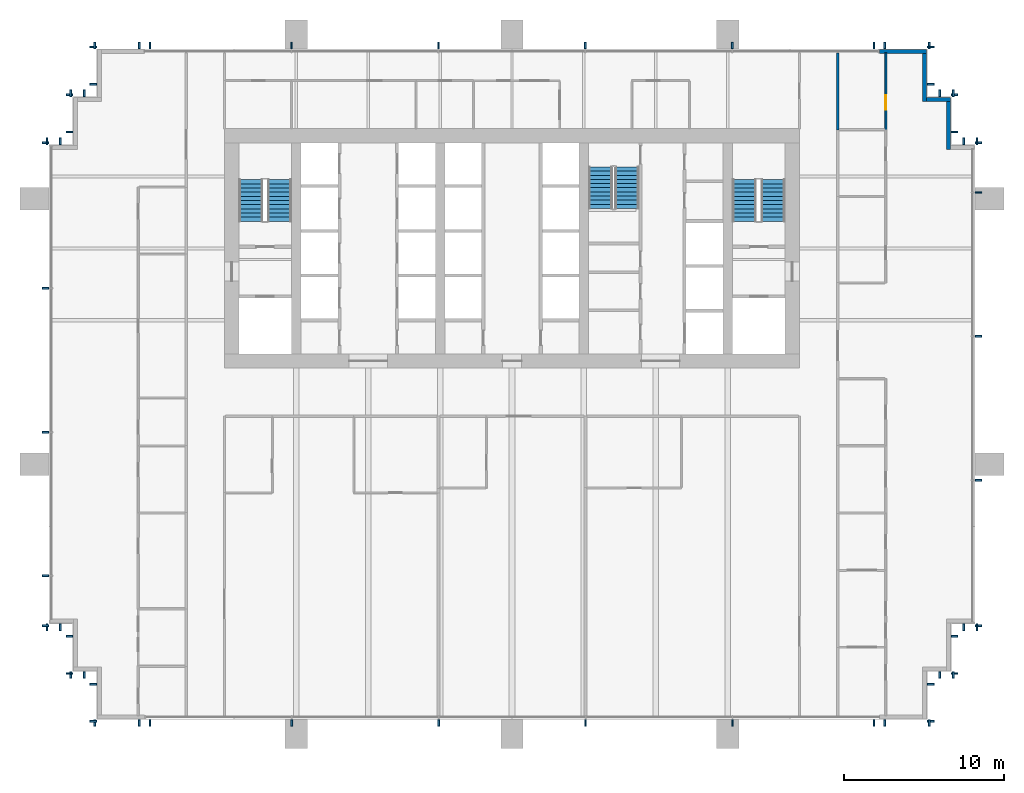
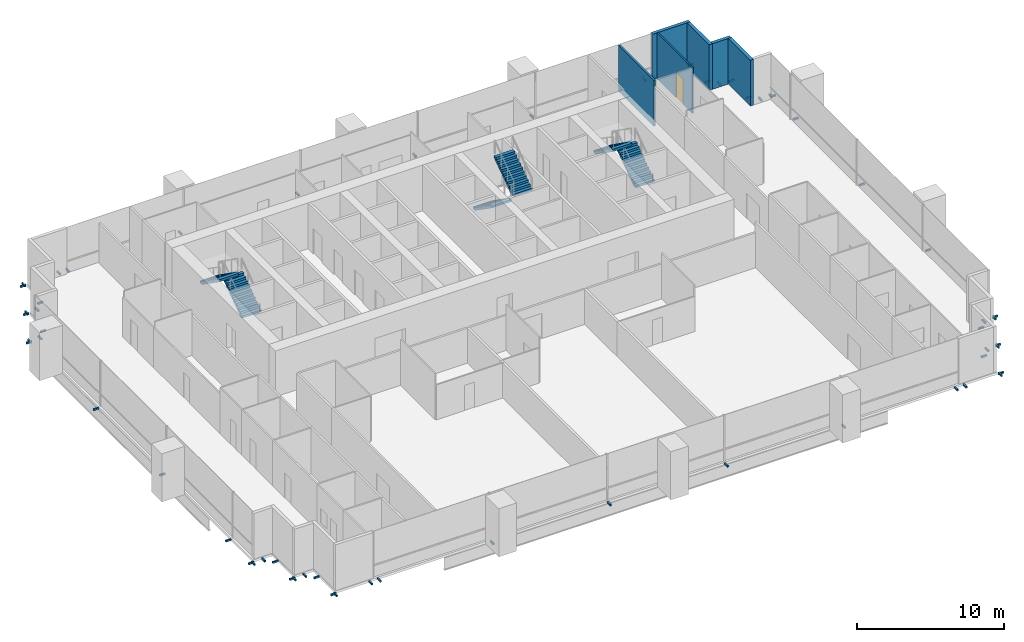
# One storey, part 14 of 15: 62 discrete accessories, 6 stair flights, 6 walls, 1 door, 1 opening, 3 elements without a shape of their own.
"""IFC4 building model written with IfcOpenShell, lengths in metres."""

from ifc_helpers import new_model, si_unit, direction, frame, frame_2d, origin, origin_2d, place, context, subcontext, project, spatial, polyline, rectangle, outline, extrude, material, layer, layer_set, type_object, element, fill, aggregate, save


model = new_model("IFC4")

# Units and contexts
model_context = context("Model", 3, precision=1e-05, world=origin(), true_north=direction((0.0, 1.0)))
body_context = subcontext(model_context, "Body", "Model", "MODEL_VIEW")
ifc_project = project(units=[si_unit("LENGTHUNIT", "METRE"), si_unit("AREAUNIT", "SQUARE_METRE"), si_unit("VOLUMEUNIT", "CUBIC_METRE"), si_unit("PLANEANGLEUNIT", "RADIAN"), si_unit("MASSUNIT", "GRAM", prefix="KILO")], contexts=[model_context])

# Site, building, storey
site_placement = place(None, origin())
site = spatial("IfcSite", under=ifc_project, at=site_placement, CompositionType="ELEMENT")
building_placement = place(site_placement, origin())
building = spatial("IfcBuilding", under=site, at=building_placement, Name="Rattan Terrace Tower", CompositionType="ELEMENT")
storey_placement = place(building_placement, frame((0.0, 0.0, 142.10009765625)))
storey = spatial("IfcBuildingStorey", under=building, at=storey_placement, Name="L32", CompositionType="ELEMENT", Elevation=142.10009765625)

# Walls
ifc_material_1 = material(Name="Insulated aluminium-clad stud wall", Category="aluminium")
ifc_layer_1 = layer(ifc_material_1, 0.25)
ifc_layer_set_1 = layer_set([ifc_layer_1], Name="Facade Riser Wall 250")
wall_type_1 = type_object("IfcWallType", Name="Facade Riser Wall 250", PredefinedType="SOLIDWALL", material=ifc_layer_set_1)
wall_1_placement = place(storey_placement, frame((27.330078125, 6.205078125, 0.0), z_axis=(0.0, 0.0, 1.0), x_axis=(0.0, 1.0, 0.0)))
element("IfcWall", 1, at=wall_1_placement, inside=storey, type_object=wall_type_1, Name="Riser wall L32-7", PredefinedType="SOLIDWALL", context=body_context, shape_type="SweptSolid", body=[
    extrude(rectangle(XDim=3.0, YDim=0.25, at=frame_2d((1.5, 0.0))), origin(), (0.0, 0.0, 1.0), 3.7998046875),
])
wall_2_placement = place(storey_placement, frame((27.455078125, 9.330078125, 0.0), z_axis=(0.0, 0.0, 1.0), x_axis=(-1.0, 0.0, 0.0)))
element("IfcWall", 2, at=wall_2_placement, inside=storey, type_object=wall_type_1, Name="Riser wall L32-8", PredefinedType="SOLIDWALL", context=body_context, shape_type="SweptSolid", body=[
    extrude(rectangle(XDim=1.5, YDim=0.25, at=frame_2d((0.75, 0.0))), origin(), (0.0, 0.0, 1.0), 3.7998046875),
])
wall_3_placement = place(storey_placement, frame((25.830078125, 9.205078125, 0.0), z_axis=(0.0, 0.0, 1.0), x_axis=(0.0, 1.0, 0.0)))
element("IfcWall", 3, at=wall_3_placement, inside=storey, type_object=wall_type_1, Name="Riser wall L32-9", PredefinedType="SOLIDWALL", context=body_context, shape_type="SweptSolid", body=[
    extrude(rectangle(XDim=3.0, YDim=0.25, at=frame_2d((1.5, 0.0))), origin(), (0.0, 0.0, 1.0), 3.7998046875),
])
wall_4_placement = place(storey_placement, frame((25.955078125, 12.330078125, 0.0), z_axis=(0.0, 0.0, 1.0), x_axis=(-1.0, 0.0, 0.0)))
element("IfcWall", 4, at=wall_4_placement, inside=storey, type_object=wall_type_1, Name="Riser wall L32-10", PredefinedType="SOLIDWALL", context=body_context, shape_type="SweptSolid", body=[
    extrude(rectangle(XDim=2.955078125, YDim=0.25, at=frame_2d((1.4775390625, 0.0))), origin(), (0.0, 0.0, 1.0), 3.7998046875),
])
ifc_material_2 = material(Name="Gypsum board partition on steel studs, fire rated", Category="steel")
ifc_layer_2 = layer(ifc_material_2, 0.14990234375)
ifc_layer_set_2 = layer_set([ifc_layer_2], Name="Floors Tenancy Wall 150")
wall_type_2 = type_object("IfcWallType", Name="Floors Tenancy Wall 150", PredefinedType="PARTITIONING", material=ifc_layer_set_2)
wall_5_placement = place(storey_placement, frame((20.39990234375, 12.239990234375, 0.0), z_axis=(0.0, 0.0, 1.0), x_axis=(0.0, -1.0, 0.0)))
element("IfcWall", 5, at=wall_5_placement, inside=storey, type_object=wall_type_2, Name="pt-L32-017", PredefinedType="PARTITIONING", context=body_context, shape_type="SweptSolid", body=[
    extrude(rectangle(XDim=4.820068359375, YDim=0.14990234375, at=frame_2d((2.41015625, 0.0))), origin(), (0.0, 0.0, 1.0), 3.7998046875),
])

# Wall, opening, door
ifc_material_3 = material(Name="Moisture resistant gypsum board partition on steel studs with service cavity", Category="steel")
ifc_layer_3 = layer(ifc_material_3, 0.1201171875)
ifc_layer_set_3 = layer_set([ifc_layer_3], Name="Floors Wet Wall 120")
wall_type_3 = type_object("IfcWallType", Name="Floors Wet Wall 120", PredefinedType="PARTITIONING", material=ifc_layer_set_3)
wall_6_placement = place(storey_placement, frame((23.39990234375, 7.419921875, 0.0), z_axis=(0.0, 0.0, 1.0), x_axis=(0.0, 1.0, 0.0)))
wall_6 = element("IfcWall", 6, at=wall_6_placement, inside=storey, type_object=wall_type_3, Name="pt-L32-054", PredefinedType="PARTITIONING", context=body_context, shape_type="SweptSolid", body=[
    extrude(rectangle(XDim=4.820068359375, YDim=0.1201171875, at=frame_2d((2.41015625, 0.0))), origin(), (0.0, 0.0, 1.0), 3.7998046875),
])
opening_placement = place(wall_6_placement, frame((1.27587890625, 0.0, 0.0)))
opening = element("IfcOpeningElement", 7, at=opening_placement, cuts=wall_6, Name="Opening L32-D116", PredefinedType="OPENING", context=body_context, shape_type="SweptSolid", body=[
    extrude(rectangle(XDim=0.89990234375, YDim=2.10009765625, at=frame_2d((0.449951171875, 1.050048828125))), frame((0.0, 0.070556640625, 0.0), z_axis=(0.0, -1.0, 0.0), x_axis=(1.0, 0.0, 0.0)), (0.0, 0.0, 1.0), 0.14111328125),
])
ifc_material_4 = material(Name="Solid core timber door, painted", Category="wood")
door_type = type_object("IfcDoorType", Name="Floors Door 900x2100", OperationType="NOTDEFINED", PredefinedType="DOOR", material=ifc_material_4)
door_placement = place(opening_placement, origin())
door = element("IfcDoor", 8, at=door_placement, inside=storey, type_object=door_type, Name="d-L32-116", OperationType="SINGLE_SWING_LEFT", OverallHeight=2.10009765625, OverallWidth=0.89990234375, PredefinedType="DOOR", context=body_context, shape_type="SweptSolid", body=[
    extrude(rectangle(XDim=0.89990234375, YDim=2.10009765625, at=frame_2d((0.449951171875, 1.050048828125))), frame((0.0, 0.02490234375, 0.0), z_axis=(0.0, -1.0, 0.0), x_axis=(1.0, 0.0, 0.0)), (0.0, 0.0, 1.0), 0.050048828125),
])
fill(opening, door)

# Stair, stair flights
ifc_material_5 = material(Name="Concrete C40/50", Category="concrete")
stair_type = type_object("IfcStairType", Name="Core exit stair 1500", PredefinedType="HALF_TURN_STAIR", material=ifc_material_5)
stair_1_placement = place(storey_placement, origin())
stair_1 = element("IfcStair", 9, at=stair_1_placement, inside=storey, type_object=stair_type, Name="L32 exit stair 1", PredefinedType="HALF_TURN_STAIR")
ifc_material_6 = material(Name="Concrete C40/50", Category="concrete")
stair_flight_type = type_object("IfcStairFlightType", Name="Core exit stair flight 1500", PredefinedType="STRAIGHT", material=ifc_material_6)
stair_flight_1_placement = place(storey_placement, frame((-14.550048828125, 1.699951171875, 0.0), z_axis=(0.0, 0.0, 1.0), x_axis=(0.0, 1.0, 0.0)))
stair_flight_1 = element("IfcStairFlight", 10, at=stair_flight_1_placement, type_object=stair_flight_type, Name="S1 flight 1", NumberOfRisers=11, NumberOfTreads=10, PredefinedType="STRAIGHT", RiserHeight=0.181818182, TreadLength=0.26, context=body_context, shape_type="SweptSolid", body=[
    extrude(outline(polyline([(0.0, 0.0), (0.0, 0.181884765625), (0.260009765625, 0.181884765625), (0.260009765625, 0.363525390625), (0.52001953125, 0.363525390625), (0.52001953125, 0.54541015625), (0.780029296875, 0.54541015625), (0.780029296875, 0.727294921875), (1.0400390625, 0.727294921875), (1.0400390625, 0.9091796875), (1.300048828125, 0.9091796875), (1.300048828125, 1.0908203125), (1.56005859375, 1.0908203125), (1.56005859375, 1.272705078125), (1.820068359375, 1.272705078125), (1.820068359375, 1.45458984375), (2.080078125, 1.45458984375), (2.080078125, 1.636474609375), (2.340087890625, 1.636474609375), (2.340087890625, 1.818115234375), (2.60009765625, 1.818115234375), (2.60009765625, 2.0), (2.60009765625, 1.63525390625), (0.261474609375, 0.0), (0.0, 0.0)])), frame((0.0, 0.75, 0.0), z_axis=(0.0, -1.0, 0.0), x_axis=(1.0, 0.0, 0.0)), (0.0, 0.0, 1.0), 1.5),
])
stair_flight_2_placement = place(storey_placement, frame((-16.35009765625, 4.300048828125, 2.0), z_axis=(0.0, 0.0, 1.0), x_axis=(0.0, -1.0, 0.0)))
stair_flight_2 = element("IfcStairFlight", 11, at=stair_flight_2_placement, type_object=stair_flight_type, Name="S1 flight 2", NumberOfRisers=11, NumberOfTreads=10, PredefinedType="STRAIGHT", RiserHeight=0.181818182, TreadLength=0.26, context=body_context, shape_type="SweptSolid", body=[
    extrude(outline(polyline([(0.0, 0.0), (0.0, 0.181884765625), (0.260009765625, 0.181884765625), (0.260009765625, 0.363525390625), (0.52001953125, 0.363525390625), (0.52001953125, 0.54541015625), (0.780029296875, 0.54541015625), (0.780029296875, 0.727294921875), (1.0400390625, 0.727294921875), (1.0400390625, 0.9091796875), (1.300048828125, 0.9091796875), (1.300048828125, 1.0908203125), (1.56005859375, 1.0908203125), (1.56005859375, 1.272705078125), (1.820068359375, 1.272705078125), (1.820068359375, 1.45458984375), (2.080078125, 1.45458984375), (2.080078125, 1.636474609375), (2.340087890625, 1.636474609375), (2.340087890625, 1.818115234375), (2.60009765625, 1.818115234375), (2.60009765625, 2.0), (2.60009765625, 1.63525390625), (0.261474609375, 0.0), (0.0, 0.0)])), frame((0.0, 0.75, 0.0), z_axis=(0.0, -1.0, 0.0), x_axis=(1.0, 0.0, 0.0)), (0.0, 0.0, 1.0), 1.5),
])
aggregate(stair_1, [stair_flight_1, stair_flight_2])

stair_2_placement = place(storey_placement, origin())
stair_2 = element("IfcStair", 12, at=stair_2_placement, inside=storey, type_object=stair_type, Name="L32 exit stair 2", PredefinedType="HALF_TURN_STAIR")
stair_flight_3_placement = place(storey_placement, frame((16.35009765625, 1.699951171875, 0.0), z_axis=(0.0, 0.0, 1.0), x_axis=(0.0, 1.0, 0.0)))
stair_flight_3 = element("IfcStairFlight", 13, at=stair_flight_3_placement, type_object=stair_flight_type, Name="S2 flight 1", NumberOfRisers=11, NumberOfTreads=10, PredefinedType="STRAIGHT", RiserHeight=0.181818182, TreadLength=0.26, context=body_context, shape_type="SweptSolid", body=[
    extrude(outline(polyline([(0.0, 0.0), (0.0, 0.181884765625), (0.260009765625, 0.181884765625), (0.260009765625, 0.363525390625), (0.52001953125, 0.363525390625), (0.52001953125, 0.54541015625), (0.780029296875, 0.54541015625), (0.780029296875, 0.727294921875), (1.0400390625, 0.727294921875), (1.0400390625, 0.9091796875), (1.300048828125, 0.9091796875), (1.300048828125, 1.0908203125), (1.56005859375, 1.0908203125), (1.56005859375, 1.272705078125), (1.820068359375, 1.272705078125), (1.820068359375, 1.45458984375), (2.080078125, 1.45458984375), (2.080078125, 1.636474609375), (2.340087890625, 1.636474609375), (2.340087890625, 1.818115234375), (2.60009765625, 1.818115234375), (2.60009765625, 2.0), (2.60009765625, 1.63525390625), (0.261474609375, 0.0), (0.0, 0.0)])), frame((0.0, 0.75, 0.0), z_axis=(0.0, -1.0, 0.0), x_axis=(1.0, 0.0, 0.0)), (0.0, 0.0, 1.0), 1.5),
])
stair_flight_4_placement = place(storey_placement, frame((14.550048828125, 4.300048828125, 2.0), z_axis=(0.0, 0.0, 1.0), x_axis=(0.0, -1.0, 0.0)))
stair_flight_4 = element("IfcStairFlight", 14, at=stair_flight_4_placement, type_object=stair_flight_type, Name="S2 flight 2", NumberOfRisers=11, NumberOfTreads=10, PredefinedType="STRAIGHT", RiserHeight=0.181818182, TreadLength=0.26, context=body_context, shape_type="SweptSolid", body=[
    extrude(outline(polyline([(0.0, 0.0), (0.0, 0.181884765625), (0.260009765625, 0.181884765625), (0.260009765625, 0.363525390625), (0.52001953125, 0.363525390625), (0.52001953125, 0.54541015625), (0.780029296875, 0.54541015625), (0.780029296875, 0.727294921875), (1.0400390625, 0.727294921875), (1.0400390625, 0.9091796875), (1.300048828125, 0.9091796875), (1.300048828125, 1.0908203125), (1.56005859375, 1.0908203125), (1.56005859375, 1.272705078125), (1.820068359375, 1.272705078125), (1.820068359375, 1.45458984375), (2.080078125, 1.45458984375), (2.080078125, 1.636474609375), (2.340087890625, 1.636474609375), (2.340087890625, 1.818115234375), (2.60009765625, 1.818115234375), (2.60009765625, 2.0), (2.60009765625, 1.63525390625), (0.261474609375, 0.0), (0.0, 0.0)])), frame((0.0, 0.75, 0.0), z_axis=(0.0, -1.0, 0.0), x_axis=(1.0, 0.0, 0.0)), (0.0, 0.0, 1.0), 1.5),
])
aggregate(stair_2, [stair_flight_3, stair_flight_4])

stair_3_placement = place(storey_placement, origin())
stair_3 = element("IfcStair", 15, at=stair_3_placement, inside=storey, type_object=stair_type, Name="L32 exit stair 3", PredefinedType="HALF_TURN_STAIR")
stair_flight_5_placement = place(storey_placement, frame((5.550048828125, 5.10009765625, 0.0), z_axis=(0.0, 0.0, 1.0), x_axis=(0.0, -1.0, 0.0)))
stair_flight_5 = element("IfcStairFlight", 16, at=stair_flight_5_placement, type_object=stair_flight_type, Name="S3 flight 1", NumberOfRisers=11, NumberOfTreads=10, PredefinedType="STRAIGHT", RiserHeight=0.181818182, TreadLength=0.26, context=body_context, shape_type="SweptSolid", body=[
    extrude(outline(polyline([(0.0, 0.0), (0.0, 0.181884765625), (0.260009765625, 0.181884765625), (0.260009765625, 0.363525390625), (0.52001953125, 0.363525390625), (0.52001953125, 0.54541015625), (0.780029296875, 0.54541015625), (0.780029296875, 0.727294921875), (1.0400390625, 0.727294921875), (1.0400390625, 0.9091796875), (1.300048828125, 0.9091796875), (1.300048828125, 1.0908203125), (1.56005859375, 1.0908203125), (1.56005859375, 1.272705078125), (1.820068359375, 1.272705078125), (1.820068359375, 1.45458984375), (2.080078125, 1.45458984375), (2.080078125, 1.636474609375), (2.340087890625, 1.636474609375), (2.340087890625, 1.818115234375), (2.60009765625, 1.818115234375), (2.60009765625, 2.0), (2.60009765625, 1.63525390625), (0.261474609375, 0.0), (0.0, 0.0)])), frame((0.0, 0.75, 0.0), z_axis=(0.0, -1.0, 0.0), x_axis=(1.0, 0.0, 0.0)), (0.0, 0.0, 1.0), 1.5),
])
stair_flight_6_placement = place(storey_placement, frame((7.199951171875, 2.5, 2.0), z_axis=(0.0, 0.0, 1.0), x_axis=(0.0, 1.0, 0.0)))
stair_flight_6 = element("IfcStairFlight", 17, at=stair_flight_6_placement, type_object=stair_flight_type, Name="S3 flight 2", NumberOfRisers=11, NumberOfTreads=10, PredefinedType="STRAIGHT", RiserHeight=0.181818182, TreadLength=0.26, context=body_context, shape_type="SweptSolid", body=[
    extrude(outline(polyline([(0.0, 0.0), (0.0, 0.181884765625), (0.260009765625, 0.181884765625), (0.260009765625, 0.363525390625), (0.52001953125, 0.363525390625), (0.52001953125, 0.54541015625), (0.780029296875, 0.54541015625), (0.780029296875, 0.727294921875), (1.0400390625, 0.727294921875), (1.0400390625, 0.9091796875), (1.300048828125, 0.9091796875), (1.300048828125, 1.0908203125), (1.56005859375, 1.0908203125), (1.56005859375, 1.272705078125), (1.820068359375, 1.272705078125), (1.820068359375, 1.45458984375), (2.080078125, 1.45458984375), (2.080078125, 1.636474609375), (2.340087890625, 1.636474609375), (2.340087890625, 1.818115234375), (2.60009765625, 1.818115234375), (2.60009765625, 2.0), (2.60009765625, 1.63525390625), (0.261474609375, 0.0), (0.0, 0.0)])), frame((0.0, 0.75, 0.0), z_axis=(0.0, -1.0, 0.0), x_axis=(1.0, 0.0, 0.0)), (0.0, 0.0, 1.0), 1.5),
])
aggregate(stair_3, [stair_flight_5, stair_flight_6])

# Discrete accessories
for number, where, z_axis, x_axis, name in (
    (18, (23.340087890625, -29.7099609375, -0.169921875), (0.0, 0.0, 1.0), (1.0, 0.0, 0.0), "Panel bracket L32-1"),
    (19, (26.110107421875, -29.7099609375, -0.169921875), (0.0, 0.0, 1.0), (1.0, 0.0, 0.0), "Panel bracket L32-2"),
    (20, (26.2099609375, -29.610107421875, -0.169921875), (0.0, 0.0, 1.0), (0.0, 1.0, 0.0), "Panel bracket L32-3"),
    (21, (26.2099609375, -27.2900390625, -0.169921875), (0.0, 0.0, 1.0), (0.0, 1.0, 0.0), "Panel bracket L32-4"),
    (22, (26.7900390625, -26.7099609375, -0.169921875), (0.0, 0.0, 1.0), (1.0, 0.0, 0.0), "Panel bracket L32-5"),
    (23, (27.610107421875, -26.7099609375, -0.169921875), (0.0, 0.0, 1.0), (1.0, 0.0, 0.0), "Panel bracket L32-6"),
    (24, (27.7099609375, -26.610107421875, -0.169921875), (0.0, 0.0, 1.0), (0.0, 1.0, 0.0), "Panel bracket L32-7"),
    (25, (27.7099609375, -24.2900390625, -0.169921875), (0.0, 0.0, 1.0), (0.0, 1.0, 0.0), "Panel bracket L32-8"),
    (26, (28.2900390625, -23.7099609375, -0.169921875), (0.0, 0.0, 1.0), (1.0, 0.0, 0.0), "Panel bracket L32-9"),
    (27, (29.110107421875, -23.7099609375, -0.169921875), (0.0, 0.0, 1.0), (1.0, 0.0, 0.0), "Panel bracket L32-10"),
    (28, (29.2099609375, -23.610107421875, -0.169921875), (0.0, 0.0, 1.0), (0.0, 1.0, 0.0), "Panel bracket L32-11"),
    (29, (29.2099609375, -14.5, -0.169921875), (0.0, 0.0, 1.0), (0.0, 1.0, 0.0), "Panel bracket L32-12"),
    (30, (29.2099609375, -5.5, -0.169921875), (0.0, 0.0, 1.0), (0.0, 1.0, 0.0), "Panel bracket L32-13"),
    (31, (29.2099609375, 3.5, -0.169921875), (0.0, 0.0, 1.0), (0.0, 1.0, 0.0), "Panel bracket L32-14"),
    (32, (29.2099609375, 6.610107421875, -0.169921875), (0.0, 0.0, 1.0), (0.0, 1.0, 0.0), "Panel bracket L32-15"),
    (33, (29.110107421875, 6.7099609375, -0.169921875), (0.0, 0.0, 1.0), (-1.0, 0.0, 0.0), "Panel bracket L32-16"),
    (34, (28.2900390625, 6.7099609375, -0.169921875), (0.0, 0.0, 1.0), (-1.0, 0.0, 0.0), "Panel bracket L32-17"),
    (35, (27.7099609375, 7.2900390625, -0.169921875), (0.0, 0.0, 1.0), (0.0, 1.0, 0.0), "Panel bracket L32-18"),
    (36, (27.7099609375, 9.610107421875, -0.169921875), (0.0, 0.0, 1.0), (0.0, 1.0, 0.0), "Panel bracket L32-19"),
    (37, (27.610107421875, 9.7099609375, -0.169921875), (0.0, 0.0, 1.0), (-1.0, 0.0, 0.0), "Panel bracket L32-20"),
    (38, (26.7900390625, 9.7099609375, -0.169921875), (0.0, 0.0, 1.0), (-1.0, 0.0, 0.0), "Panel bracket L32-21"),
    (39, (26.2099609375, 10.2900390625, -0.169921875), (0.0, 0.0, 1.0), (0.0, 1.0, 0.0), "Panel bracket L32-22"),
    (40, (26.2099609375, 12.610107421875, -0.169921875), (0.0, 0.0, 1.0), (0.0, 1.0, 0.0), "Panel bracket L32-23"),
    (41, (26.110107421875, 12.7099609375, -0.169921875), (0.0, 0.0, 1.0), (-1.0, 0.0, 0.0), "Panel bracket L32-24"),
    (42, (23.340087890625, 12.7099609375, -0.169921875), (0.0, 0.0, 1.0), (-1.0, 0.0, 0.0), "Panel bracket L32-25"),
    (43, (22.659912109375, 12.7099609375, -0.169921875), (0.0, 0.0, 1.0), (-1.0, 0.0, 0.0), "Panel bracket L32-26"),
    (44, (13.799072265625, 12.7099609375, -0.169921875), (0.0, 0.0, 1.0), (-1.0, 0.0, 0.0), "Panel bracket L32-27"),
    (45, (4.597900390625, 12.7099609375, -0.169921875), (0.0, 0.0, 1.0), (-1.0, 0.0, 0.0), "Panel bracket L32-28"),
    (46, (-4.60302734375, 12.7099609375, -0.169921875), (0.0, 0.0, 1.0), (-1.0, 0.0, 0.0), "Panel bracket L32-29"),
    (47, (-13.803955078125, 12.7099609375, -0.169921875), (0.0, 0.0, 1.0), (-1.0, 0.0, 0.0), "Panel bracket L32-30"),
    (48, (-22.659912109375, 12.7099609375, -0.169921875), (0.0, 0.0, 1.0), (-1.0, 0.0, 0.0), "Panel bracket L32-31"),
    (49, (-23.340087890625, 12.7099609375, -0.169921875), (0.0, 0.0, 1.0), (-1.0, 0.0, 0.0), "Panel bracket L32-32"),
    (50, (-26.110107421875, 12.7099609375, -0.169921875), (0.0, 0.0, 1.0), (-1.0, 0.0, 0.0), "Panel bracket L32-33"),
    (51, (-26.2099609375, 12.610107421875, -0.169921875), (0.0, 0.0, 1.0), (0.0, -1.0, 0.0), "Panel bracket L32-34"),
    (52, (-26.2099609375, 10.2900390625, -0.169921875), (0.0, 0.0, 1.0), (0.0, -1.0, 0.0), "Panel bracket L32-35"),
    (53, (-26.7900390625, 9.7099609375, -0.169921875), (0.0, 0.0, 1.0), (-1.0, 0.0, 0.0), "Panel bracket L32-36"),
    (54, (-27.610107421875, 9.7099609375, -0.169921875), (0.0, 0.0, 1.0), (-1.0, 0.0, 0.0), "Panel bracket L32-37"),
    (55, (-27.7099609375, 9.610107421875, -0.169921875), (0.0, 0.0, 1.0), (0.0, -1.0, 0.0), "Panel bracket L32-38"),
    (56, (-27.7099609375, 7.2900390625, -0.169921875), (0.0, 0.0, 1.0), (0.0, -1.0, 0.0), "Panel bracket L32-39"),
    (57, (-28.2900390625, 6.7099609375, -0.169921875), (0.0, 0.0, 1.0), (-1.0, 0.0, 0.0), "Panel bracket L32-40"),
    (58, (-29.110107421875, 6.7099609375, -0.169921875), (0.0, 0.0, 1.0), (-1.0, 0.0, 0.0), "Panel bracket L32-41"),
    (59, (-29.2099609375, 6.610107421875, -0.169921875), (0.0, 0.0, 1.0), (0.0, -1.0, 0.0), "Panel bracket L32-42"),
    (60, (-29.2099609375, -2.5, -0.169921875), (0.0, 0.0, 1.0), (0.0, -1.0, 0.0), "Panel bracket L32-43"),
    (61, (-29.2099609375, -11.5, -0.169921875), (0.0, 0.0, 1.0), (0.0, -1.0, 0.0), "Panel bracket L32-44"),
    (62, (-29.2099609375, -20.5, -0.169921875), (0.0, 0.0, 1.0), (0.0, -1.0, 0.0), "Panel bracket L32-45"),
    (63, (-29.2099609375, -23.610107421875, -0.169921875), (0.0, 0.0, 1.0), (0.0, -1.0, 0.0), "Panel bracket L32-46"),
    (64, (-29.110107421875, -23.7099609375, -0.169921875), (0.0, 0.0, 1.0), (1.0, 0.0, 0.0), "Panel bracket L32-47"),
    (65, (-28.2900390625, -23.7099609375, -0.169921875), (0.0, 0.0, 1.0), (1.0, 0.0, 0.0), "Panel bracket L32-48"),
    (66, (-27.7099609375, -24.2900390625, -0.169921875), (0.0, 0.0, 1.0), (0.0, -1.0, 0.0), "Panel bracket L32-49"),
    (67, (-27.7099609375, -26.610107421875, -0.169921875), (0.0, 0.0, 1.0), (0.0, -1.0, 0.0), "Panel bracket L32-50"),
    (68, (-27.610107421875, -26.7099609375, -0.169921875), (0.0, 0.0, 1.0), (1.0, 0.0, 0.0), "Panel bracket L32-51"),
    (69, (-26.7900390625, -26.7099609375, -0.169921875), (0.0, 0.0, 1.0), (1.0, 0.0, 0.0), "Panel bracket L32-52"),
    (70, (-26.2099609375, -27.2900390625, -0.169921875), (0.0, 0.0, 1.0), (0.0, -1.0, 0.0), "Panel bracket L32-53"),
    (71, (-26.2099609375, -29.610107421875, -0.169921875), (0.0, 0.0, 1.0), (0.0, -1.0, 0.0), "Panel bracket L32-54"),
    (72, (-26.110107421875, -29.7099609375, -0.169921875), (0.0, 0.0, 1.0), (1.0, 0.0, 0.0), "Panel bracket L32-55"),
    (73, (-23.340087890625, -29.7099609375, -0.169921875), (0.0, 0.0, 1.0), (1.0, 0.0, 0.0), "Panel bracket L32-56"),
    (74, (-22.659912109375, -29.7099609375, -0.169921875), (0.0, 0.0, 1.0), (1.0, 0.0, 0.0), "Panel bracket L32-57"),
    (75, (-13.799072265625, -29.7099609375, -0.169921875), (0.0, 0.0, 1.0), (1.0, 0.0, 0.0), "Panel bracket L32-58"),
    (76, (-4.597900390625, -29.7099609375, -0.169921875), (0.0, 0.0, 1.0), (1.0, 0.0, 0.0), "Panel bracket L32-59"),
    (77, (4.60302734375, -29.7099609375, -0.169921875), (0.0, 0.0, 1.0), (1.0, 0.0, 0.0), "Panel bracket L32-60"),
    (78, (13.803955078125, -29.7099609375, -0.169921875), (0.0, 0.0, 1.0), (1.0, 0.0, 0.0), "Panel bracket L32-61"),
    (79, (22.659912109375, -29.7099609375, -0.169921875), (0.0, 0.0, 1.0), (1.0, 0.0, 0.0), "Panel bracket L32-62"),
):
    element("IfcDiscreteAccessory", number, at=place(storey_placement, frame(where, z_axis=z_axis, x_axis=x_axis)), inside=storey, Name=name, PredefinedType="BRACKET", context=body_context, shape_type="SweptSolid", body=[
        extrude(rectangle(XDim=0.1201171875, YDim=0.419921875, at=origin_2d()), origin(), (0.0, 0.0, 1.0), 0.139892578125),
    ])

save(model, "model.ifc")
